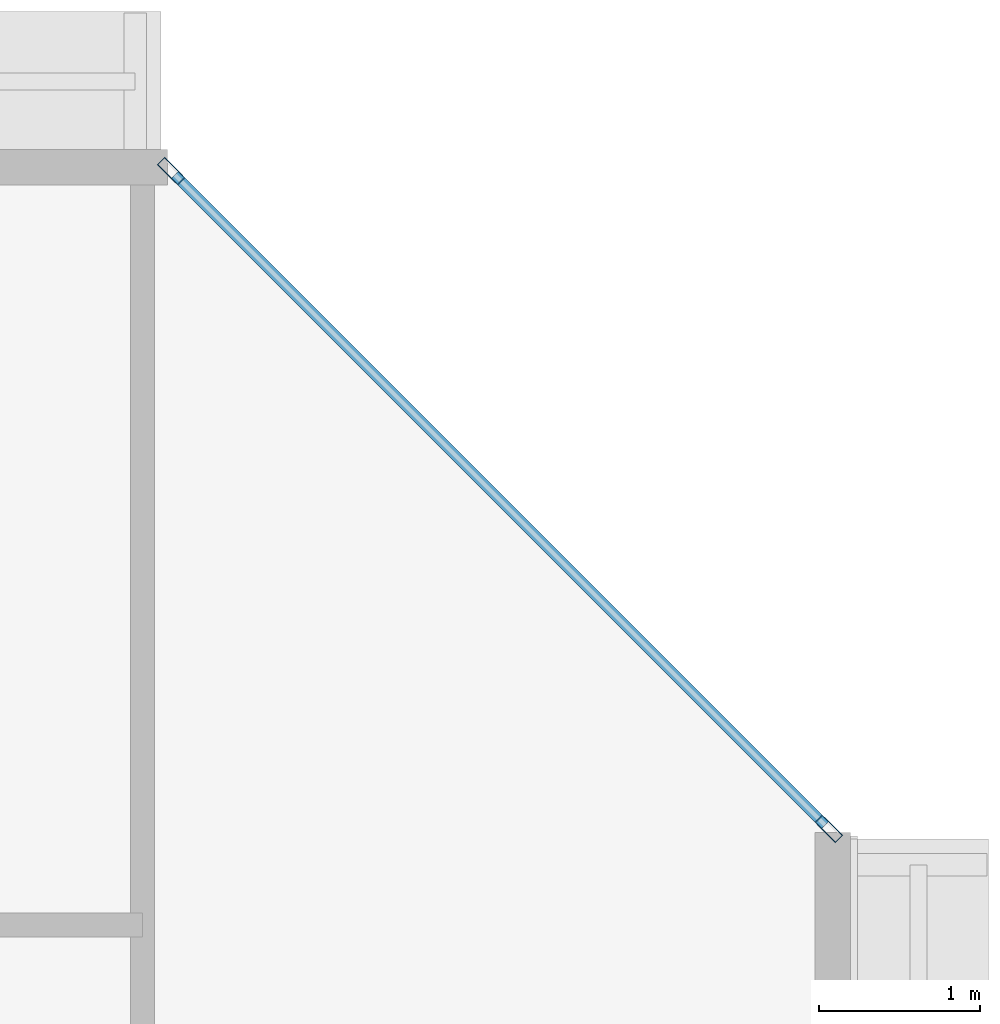
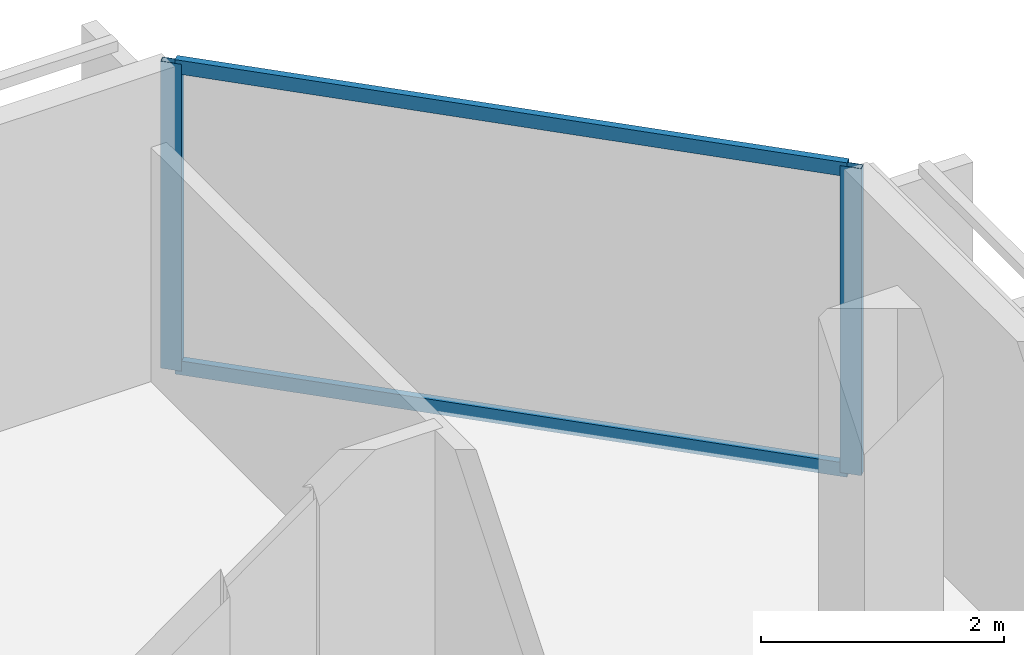
# One storey, part 12 of 25: 4 members, 1 element without a shape of its own.
"""IFC4 building model written with IfcOpenShell, lengths in metres."""

from ifc_helpers import new_model, si_unit, direction, frame, origin, origin_2d, place, context, subcontext, project, spatial, hollow_rectangle, extrude, material, layer, layer_set, material_profile, profile_set, type_object, element, aggregate, save


model = new_model("IFC4")

# Units and contexts
model_context = context("Model", 3, precision=1e-05, world=origin(), true_north=direction((0.0, 1.0)))
body_context = subcontext(model_context, "Body", "Model", "MODEL_VIEW")
ifc_project = project(units=[si_unit("LENGTHUNIT", "METRE"), si_unit("AREAUNIT", "SQUARE_METRE"), si_unit("VOLUMEUNIT", "CUBIC_METRE"), si_unit("PLANEANGLEUNIT", "RADIAN"), si_unit("MASSUNIT", "GRAM", prefix="KILO")], contexts=[model_context])

# Site, building, storey
site_placement = place(None, origin())
site = spatial("IfcSite", under=ifc_project, at=site_placement, CompositionType="ELEMENT")
building_placement = place(site_placement, origin())
building = spatial("IfcBuilding", under=site, at=building_placement, Name="Tanjung Sevakor Pilgrim Tower", CompositionType="ELEMENT")
storey_placement = place(building_placement, frame((0.0, 0.0, 204.929931640625)))
storey = spatial("IfcBuildingStorey", under=building, at=storey_placement, Name="L57", CompositionType="ELEMENT", Elevation=204.929931640625)

# Curtain wall, members
ifc_material_1 = material(Name="Aluminium 6063-T6 and Low-E Glass", Category="aluminium")
ifc_layer = layer(ifc_material_1, 0.179931640625)
ifc_layer_set = layer_set([ifc_layer], Name="CW-SYS-CHAM")
curtain_wall_type = type_object("IfcCurtainWallType", Name="CW-SYS-CHAM", PredefinedType="NOTDEFINED", material=ifc_layer_set)
curtain_wall_placement = place(storey_placement, origin())
curtain_wall = element("IfcCurtainWall", 1, at=curtain_wall_placement, inside=storey, type_object=curtain_wall_type, Name="L57 Curtain Wall CW-CHM-L57-MAIN-7", PredefinedType="NOTDEFINED")
ifc_material_2 = material(Name="Aluminium 6063-T6", Category="aluminium")
ifc_material_profile_1 = material_profile(ifc_material_2, hollow_rectangle(XDim=0.06494140625, YDim=0.179931640625, WallThickness=0.00390625, at=origin_2d()))
ifc_profile_set_1 = profile_set([ifc_material_profile_1], Name="Aluminium 6063-T6")
member_type_1 = type_object("IfcMemberType", Name="TYPE-CWM-1", PredefinedType="MULLION", material=ifc_profile_set_1)
member_1_placement = place(storey_placement, frame((99.467041015625, 50.927490234375, 0.0), z_axis=(0.0, 0.0, 1.0), x_axis=(-0.707106781187, -0.707106781187, 0.0)))
member_1 = element("IfcMember", 2, at=member_1_placement, type_object=member_type_1, Name="CW-CHM mullion 1", PredefinedType="MULLION", context=body_context, shape_type="SweptSolid", body=[
    extrude(hollow_rectangle(XDim=0.06494140625, YDim=0.179931640625, WallThickness=0.00390625, at=origin_2d()), origin(), (0.0, 0.0, 1.0), 3.080078125),
])
member_2_placement = place(storey_placement, frame((95.37744140625, 55.01708984375, 0.0), z_axis=(0.0, 0.0, 1.0), x_axis=(-0.707106781187, -0.707106781187, 0.0)))
member_2 = element("IfcMember", 3, at=member_2_placement, type_object=member_type_1, Name="CW-CHM mullion 2", PredefinedType="MULLION", context=body_context, shape_type="SweptSolid", body=[
    extrude(hollow_rectangle(XDim=0.06494140625, YDim=0.179931640625, WallThickness=0.00390625, at=origin_2d()), origin(), (0.0, 0.0, 1.0), 3.080078125),
])
ifc_material_3 = material(Name="Aluminium 6063-T6", Category="aluminium")
ifc_material_profile_2 = material_profile(ifc_material_3, hollow_rectangle(XDim=0.06494140625, YDim=0.139892578125, WallThickness=0.00390625, at=origin_2d()))
ifc_profile_set_2 = profile_set([ifc_material_profile_2], Name="Aluminium 6063-T6")
member_type_2 = type_object("IfcMemberType", Name="TYPE-CWT-1", PredefinedType="USERDEFINED", material=ifc_profile_set_2)
member_3_placement = place(storey_placement, frame((99.444091796875, 50.950439453125, 0.032470703125), z_axis=(-0.707106781187, 0.707106781187, 0.0), x_axis=(-0.707106781187, -0.707106781187, 0.0)))
member_3 = element("IfcMember", 4, at=member_3_placement, type_object=member_type_2, Name="CW-CHM transom 1.1", ObjectType="TRANSOM", PredefinedType="USERDEFINED", context=body_context, shape_type="SweptSolid", body=[
    extrude(hollow_rectangle(XDim=0.06494140625, YDim=0.139892578125, WallThickness=0.00390625, at=origin_2d()), origin(), (0.0, 0.0, 1.0), 5.71875),
])
member_4_placement = place(storey_placement, frame((99.444091796875, 50.950439453125, 3.047607421875), z_axis=(-0.707106781187, 0.707106781187, 0.0), x_axis=(-0.707106781187, -0.707106781187, 0.0)))
member_4 = element("IfcMember", 5, at=member_4_placement, type_object=member_type_2, Name="CW-CHM transom 1.2", ObjectType="TRANSOM", PredefinedType="USERDEFINED", context=body_context, shape_type="SweptSolid", body=[
    extrude(hollow_rectangle(XDim=0.06494140625, YDim=0.139892578125, WallThickness=0.00390625, at=origin_2d()), origin(), (0.0, 0.0, 1.0), 5.71875),
])
aggregate(curtain_wall, [member_1, member_2, member_3, member_4])

save(model, "model.ifc")
